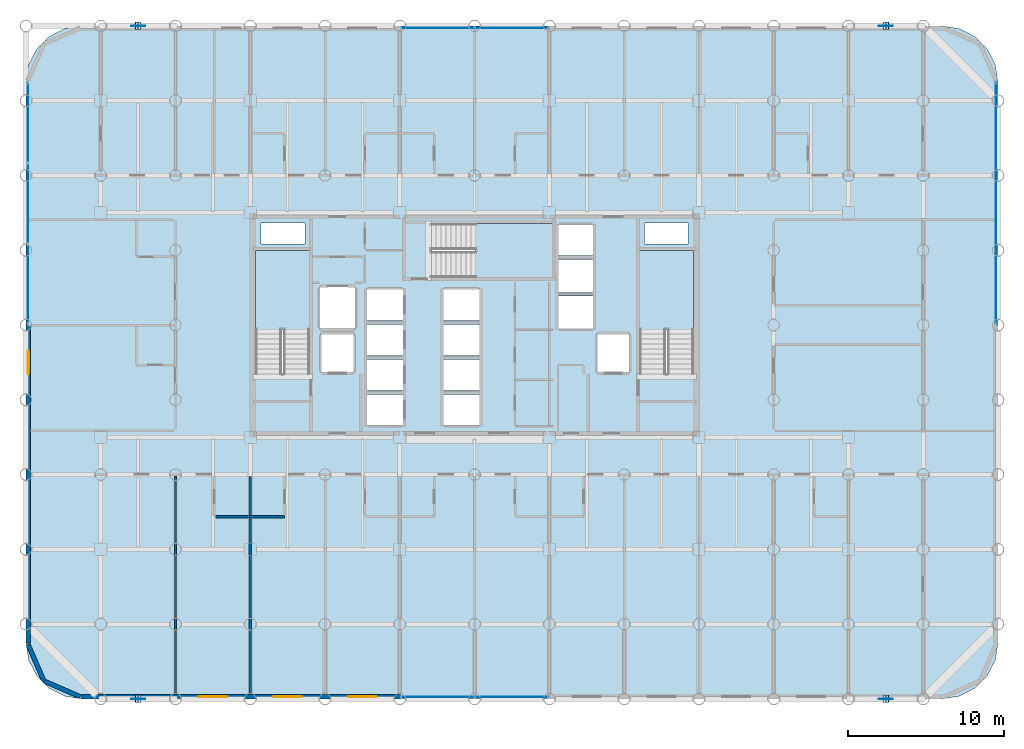
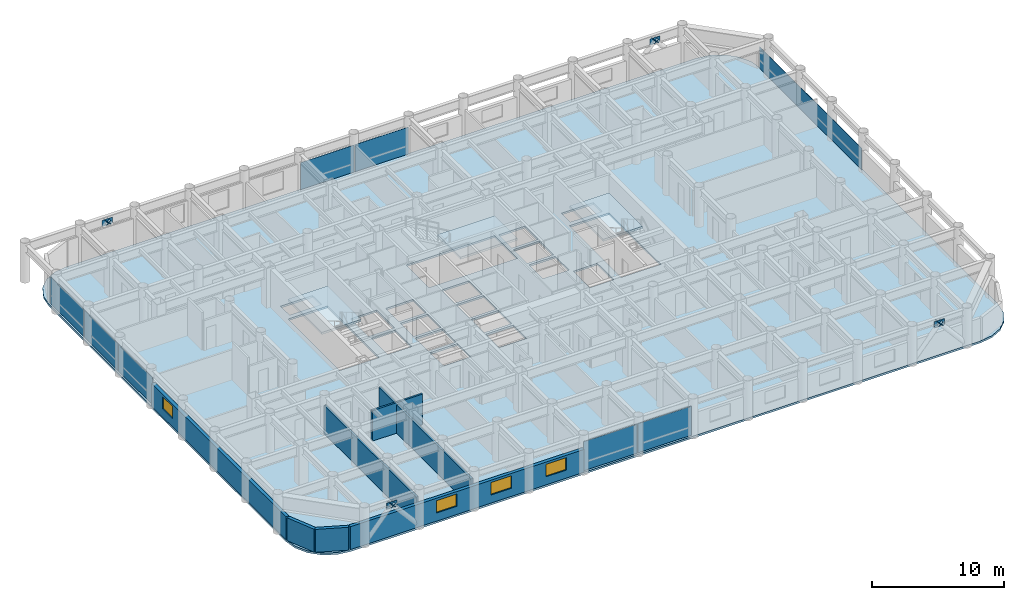
# One storey, part 14 of 21: 20 plates, 7 walls, 4 slabs, 4 windows, 4 openings, 7 elements without a shape of their own.
"""IFC4 building model written with IfcOpenShell, lengths in metres."""

from ifc_helpers import new_model, si_unit, direction, frame, frame_2d, origin, origin_2d, place, context, subcontext, project, spatial, polyline, rectangle, outline, extrude, material, layer, layer_set, type_object, element, fill, aggregate, save


model = new_model("IFC4")

# Units and contexts
model_context = context("Model", 3, precision=1e-05, world=origin(), true_north=direction((0.0, 1.0)))
body_context = subcontext(model_context, "Body", "Model", "MODEL_VIEW")
ifc_project = project(units=[si_unit("LENGTHUNIT", "METRE"), si_unit("AREAUNIT", "SQUARE_METRE"), si_unit("VOLUMEUNIT", "CUBIC_METRE"), si_unit("PLANEANGLEUNIT", "RADIAN"), si_unit("MASSUNIT", "GRAM", prefix="KILO")], contexts=[model_context])

# Site, building, storey
site_placement = place(None, origin())
site = spatial("IfcSite", under=ifc_project, at=site_placement, CompositionType="ELEMENT")
building_placement = place(site_placement, origin())
building = spatial("IfcBuilding", under=site, at=building_placement, Name="Kallvorn Hotel Tower", CompositionType="ELEMENT")
storey_placement = place(building_placement, frame((0.0, 0.0, 81.800048828125)))
storey = spatial("IfcBuildingStorey", under=building, at=storey_placement, Name="L19", CompositionType="ELEMENT", Elevation=81.800048828125)

# Curtain wall, plates
ifc_material_1 = material(Name="Thermally broken black-anodised aluminium AA 6063-T6", Category="aluminium")
ifc_layer_1 = layer(ifc_material_1, 0.199951171875)
ifc_layer_set_1 = layer_set([ifc_layer_1], Name="CW_SYS_3_HOTEL_LOW")
curtain_wall_type = type_object("IfcCurtainWallType", Name="CW_SYS_3_HOTEL_LOW", PredefinedType="USERDEFINED", material=ifc_layer_set_1)
curtain_wall_1_placement = place(storey_placement, origin())
curtain_wall_1 = element("IfcCurtainWall", 1, at=curtain_wall_1_placement, inside=storey, type_object=curtain_wall_type, Name="L19 Dark-Glass Curtain Wall CW-L19-SC", ObjectType="UNITISED CURTAIN WALL", PredefinedType="USERDEFINED")
ifc_material_2 = material(Name="Double-glazed low-e solar-control dark glass", Category="glass")
ifc_layer_2 = layer(ifc_material_2, 0.035888671875)
ifc_layer_set_2 = layer_set([ifc_layer_2], Name="CW_SYS_3_HOTEL_LOW_PANEL")
plate_type_1 = type_object("IfcPlateType", Name="CW_SYS_3_HOTEL_LOW_PANEL", PredefinedType="CURTAIN_PANEL", material=ifc_layer_set_2)
plate_1_placement = place(storey_placement, frame((-2.375, -23.8798828125, 0.06005859375), z_axis=(0.0, 0.0, 1.0), x_axis=(1.0, 0.0, 0.0)))
plate_1 = element("IfcPlate", 2, at=plate_1_placement, type_object=plate_type_1, Name="CW-L19-SC Vision Glass Panel 00", PredefinedType="CURTAIN_PANEL", context=body_context, shape_type="SweptSolid", body=[
    extrude(rectangle(XDim=4.68994140625, YDim=0.035888671875, at=origin_2d()), origin(), (0.0, 0.0, 1.0), 2.699951171875),
])
plate_2_placement = place(storey_placement, frame((2.375, -23.8798828125, 0.06005859375), z_axis=(0.0, 0.0, 1.0), x_axis=(1.0, 0.0, 0.0)))
plate_2 = element("IfcPlate", 3, at=plate_2_placement, type_object=plate_type_1, Name="CW-L19-SC Vision Glass Panel 01", PredefinedType="CURTAIN_PANEL", context=body_context, shape_type="SweptSolid", body=[
    extrude(rectangle(XDim=4.68994140625, YDim=0.035888671875, at=origin_2d()), origin(), (0.0, 0.0, 1.0), 2.699951171875),
])
aggregate(curtain_wall_1, [plate_1, plate_2])

curtain_wall_2_placement = place(storey_placement, origin())
curtain_wall_2 = element("IfcCurtainWall", 4, at=curtain_wall_2_placement, inside=storey, type_object=curtain_wall_type, Name="L19 Dark-Glass Curtain Wall CW-L19-NC", ObjectType="UNITISED CURTAIN WALL", PredefinedType="USERDEFINED")
plate_3_placement = place(storey_placement, frame((-2.375, 19.080078125, 0.06005859375), z_axis=(0.0, 0.0, 1.0), x_axis=(1.0, 0.0, 0.0)))
plate_3 = element("IfcPlate", 5, at=plate_3_placement, type_object=plate_type_1, Name="CW-L19-NC Vision Glass Panel 00", PredefinedType="CURTAIN_PANEL", context=body_context, shape_type="SweptSolid", body=[
    extrude(rectangle(XDim=4.68994140625, YDim=0.035888671875, at=origin_2d()), origin(), (0.0, 0.0, 1.0), 2.5),
])
plate_4_placement = place(storey_placement, frame((2.375, 19.080078125, 0.06005859375), z_axis=(0.0, 0.0, 1.0), x_axis=(1.0, 0.0, 0.0)))
plate_4 = element("IfcPlate", 6, at=plate_4_placement, type_object=plate_type_1, Name="CW-L19-NC Vision Glass Panel 01", PredefinedType="CURTAIN_PANEL", context=body_context, shape_type="SweptSolid", body=[
    extrude(rectangle(XDim=4.68994140625, YDim=0.035888671875, at=origin_2d()), origin(), (0.0, 0.0, 1.0), 2.5),
])
aggregate(curtain_wall_2, [plate_3, plate_4])

curtain_wall_3_placement = place(storey_placement, origin())
curtain_wall_3 = element("IfcCurtainWall", 7, at=curtain_wall_3_placement, inside=storey, type_object=curtain_wall_type, Name="L19 Dark-Glass Curtain Wall CW-L19-WN", ObjectType="UNITISED CURTAIN WALL", PredefinedType="USERDEFINED")
plate_5_placement = place(storey_placement, frame((-28.679931640625, 2.61669921875, 0.06005859375), z_axis=(0.0, 0.0, 1.0), x_axis=(0.0, 1.0, 0.0)))
plate_5 = element("IfcPlate", 8, at=plate_5_placement, type_object=plate_type_1, Name="CW-L19-WN Vision Glass Panel 00", PredefinedType="CURTAIN_PANEL", context=body_context, shape_type="SweptSolid", body=[
    extrude(rectangle(XDim=5.13330078125, YDim=0.035888671875, at=origin_2d()), origin(), (0.0, 0.0, 1.0), 2.5),
])
plate_6_placement = place(storey_placement, frame((-28.679931640625, 7.81005859375, 0.06005859375), z_axis=(0.0, 0.0, 1.0), x_axis=(0.0, 1.0, 0.0)))
plate_6 = element("IfcPlate", 9, at=plate_6_placement, type_object=plate_type_1, Name="CW-L19-WN Vision Glass Panel 01", PredefinedType="CURTAIN_PANEL", context=body_context, shape_type="SweptSolid", body=[
    extrude(rectangle(XDim=5.13330078125, YDim=0.035888671875, at=origin_2d()), origin(), (0.0, 0.0, 1.0), 2.5),
])
plate_7_placement = place(storey_placement, frame((-28.679931640625, 13.00341796875, 0.06005859375), z_axis=(0.0, 0.0, 1.0), x_axis=(0.0, 1.0, 0.0)))
plate_7 = element("IfcPlate", 10, at=plate_7_placement, type_object=plate_type_1, Name="CW-L19-WN Vision Glass Panel 02", PredefinedType="CURTAIN_PANEL", context=body_context, shape_type="SweptSolid", body=[
    extrude(rectangle(XDim=5.13330078125, YDim=0.035888671875, at=origin_2d()), origin(), (0.0, 0.0, 1.0), 2.5),
])
aggregate(curtain_wall_3, [plate_5, plate_6, plate_7])

# Curtain wall, plate
curtain_wall_4_placement = place(storey_placement, origin())
curtain_wall_4 = element("IfcCurtainWall", 11, at=curtain_wall_4_placement, inside=storey, type_object=curtain_wall_type, Name="L19 Dark-Glass Curtain Wall CW-L19-EN", ObjectType="UNITISED CURTAIN WALL", PredefinedType="USERDEFINED")
plate_8_placement = place(storey_placement, frame((33.47998046875, 7.81005859375, 0.06005859375), z_axis=(0.0, 0.0, 1.0), x_axis=(0.0, 1.0, 0.0)))
plate_8 = element("IfcPlate", 12, at=plate_8_placement, type_object=plate_type_1, Name="CW-L19-EN Vision Glass Panel 00", PredefinedType="CURTAIN_PANEL", context=body_context, shape_type="SweptSolid", body=[
    extrude(rectangle(XDim=15.52001953125, YDim=0.035888671875, at=origin_2d()), origin(), (0.0, 0.0, 1.0), 2.0),
])
aggregate(curtain_wall_4, [plate_8])

# Plates
ifc_material_3 = material(Name="Structural steel S355JR", Category="steel")
ifc_layer_3 = layer(ifc_material_3, 0.030029296875)
ifc_layer_set_3 = layer_set([ifc_layer_3], Name="PLT_CAP_30")
plate_type_2 = type_object("IfcPlateType", Name="PLT_CAP_30", PredefinedType="SHEET", material=ifc_layer_set_3)
for number, where, z_axis, x_axis, name in (
    (13, (-21.409423828125, -24.2431640625, 2.80859375), (0.653515319717, 0.0, 0.756913288888), (0.0, 1.0, 0.0), "EXO-L19-S1A End Cap Plate B"),
    (14, (-21.79052734375, -23.7568359375, 2.80859375), (-0.653515319717, 0.0, 0.756913288888), (0.0, -1.0, 0.0), "EXO-L19-S1B End Cap Plate B"),
    (15, (26.590576171875, -24.2431640625, 2.80859375), (0.653515319717, 0.0, 0.756913288888), (0.0, 1.0, 0.0), "EXO-L19-S2A End Cap Plate B"),
    (16, (26.20947265625, -23.7568359375, 2.80859375), (-0.653515319717, 0.0, 0.756913288888), (0.0, -1.0, 0.0), "EXO-L19-S2B End Cap Plate B"),
    (17, (-21.409423828125, 18.956787109375, 2.80859375), (0.653515319717, 0.0, 0.756913288888), (0.0, 1.0, 0.0), "EXO-L19-N1A End Cap Plate B"),
    (18, (-21.79052734375, 19.443115234375, 2.80859375), (-0.653515319717, 0.0, 0.756913288888), (0.0, -1.0, 0.0), "EXO-L19-N1B End Cap Plate B"),
    (19, (26.590576171875, 18.956787109375, 2.80859375), (0.653515319717, 0.0, 0.756913288888), (0.0, 1.0, 0.0), "EXO-L19-N2A End Cap Plate B"),
    (20, (26.20947265625, 19.443115234375, 2.80859375), (-0.653515319717, 0.0, 0.756913288888), (0.0, -1.0, 0.0), "EXO-L19-N2B End Cap Plate B"),
):
    element("IfcPlate", number, at=place(storey_placement, frame(where, z_axis=z_axis, x_axis=x_axis)), inside=storey, type_object=plate_type_2, Name=name, PredefinedType="SHEET", context=body_context, shape_type="SweptSolid", body=[
        extrude(outline(polyline([(0.0, 0.0), (0.486328125, 0.0), (0.486328125, 0.4864019008580509), (0.0, 0.4864019008580509), (0.0, 0.0)])), origin(), (0.0, 0.0, -1.0), 0.030029296875),
    ])
ifc_material_4 = material(Name="Structural steel S355JR", Category="steel")
ifc_layer_4 = layer(ifc_material_4, 0.044921875)
ifc_layer_set_4 = layer_set([ifc_layer_4], Name="PLT_GUSSET_45")
plate_type_3 = type_object("IfcPlateType", Name="PLT_GUSSET_45", PredefinedType="USERDEFINED", material=ifc_layer_set_4)
for number, where, z_axis, x_axis, name in (
    (21, (-21.60009765625, -24.0, 2.639892578125), (0.0, 0.0, 1.0), (1.0, 0.0, 0.0), "L19 Exoskeleton Node Gusset S1"),
    (22, (26.39990234375, -24.0, 2.639892578125), (0.0, 0.0, 1.0), (1.0, 0.0, 0.0), "L19 Exoskeleton Node Gusset S2"),
    (23, (-21.60009765625, 19.199951171875, 2.639892578125), (0.0, 0.0, 1.0), (1.0, 0.0, 0.0), "L19 Exoskeleton Node Gusset N1"),
    (24, (26.39990234375, 19.199951171875, 2.639892578125), (0.0, 0.0, 1.0), (1.0, 0.0, 0.0), "L19 Exoskeleton Node Gusset N2"),
):
    element("IfcPlate", number, at=place(storey_placement, frame(where, z_axis=z_axis, x_axis=x_axis)), inside=storey, type_object=plate_type_3, Name=name, ObjectType="GUSSET PLATE", PredefinedType="USERDEFINED", context=body_context, shape_type="SweptSolid", body=[
        extrude(rectangle(XDim=0.89990234375, YDim=0.044921875, at=origin_2d()), origin(), (0.0, 0.0, 1.0), 0.56005859375),
    ])

# Stair, slab
ifc_material_5 = material(Name="Precast concrete C40/50", Category="concrete")
stair_type = type_object("IfcStairType", Name="STR_CORE_DOGLEG", PredefinedType="HALF_TURN_STAIR", material=ifc_material_5)
stair_1_placement = place(storey_placement, origin())
stair_1 = element("IfcStair", 25, at=stair_1_placement, inside=storey, type_object=stair_type, Name="L19 Exit stair ST1", PredefinedType="HALF_TURN_STAIR")
ifc_material_6 = material(Name="Precast concrete C40/50", Category="concrete")
ifc_layer_5 = layer(ifc_material_6, 0.179931640625)
ifc_layer_set_5 = layer_set([ifc_layer_5], Name="SLB_LANDING_180")
slab_type_1 = type_object("IfcSlabType", Name="SLB_LANDING_180", PredefinedType="LANDING", material=ifc_layer_set_5)
slab_1_placement = place(storey_placement, frame((0.0, 0.0, 1.64990234375)))
slab_1 = element("IfcSlab", 26, at=slab_1_placement, type_object=slab_type_1, Name="ST1 landing 1", PredefinedType="LANDING", context=body_context, shape_type="SweptSolid", body=[
    extrude(outline(polyline([(-10.60009765625, -0.31005859375), (-10.60009765625, 4.800048828125), (-14.06005859375, 4.800048828125), (-14.06005859375, -0.31005859375), (-10.60009765625, -0.31005859375)])), origin(), (0.0, 0.0, 1.0), 0.199951171875),
])
aggregate(stair_1, [slab_1])

stair_2_placement = place(storey_placement, origin())
stair_2 = element("IfcStair", 27, at=stair_2_placement, inside=storey, type_object=stair_type, Name="L19 Exit stair ST2", PredefinedType="HALF_TURN_STAIR")
slab_2_placement = place(storey_placement, frame((0.0, 0.0, 1.64990234375)))
slab_2 = element("IfcSlab", 28, at=slab_2_placement, type_object=slab_type_1, Name="ST2 landing 1", PredefinedType="LANDING", context=body_context, shape_type="SweptSolid", body=[
    extrude(outline(polyline([(14.06005859375, -0.31005859375), (14.06005859375, 4.800048828125), (10.60009765625, 4.800048828125), (10.60009765625, -0.31005859375), (14.06005859375, -0.31005859375)])), origin(), (0.0, 0.0, 1.0), 0.199951171875),
])
aggregate(stair_2, [slab_2])

stair_3_placement = place(storey_placement, origin())
stair_3 = element("IfcStair", 29, at=stair_3_placement, inside=storey, type_object=stair_type, Name="L19 Exit stair ST3", PredefinedType="HALF_TURN_STAIR")
slab_3_placement = place(storey_placement, frame((0.0, 0.0, 1.64990234375)))
slab_3 = element("IfcSlab", 30, at=slab_3_placement, type_object=slab_type_1, Name="ST3 landing 1", PredefinedType="LANDING", context=body_context, shape_type="SweptSolid", body=[
    extrude(outline(polyline([(0.0400390625, 3.050048828125), (5.050048828125, 3.050048828125), (5.050048828125, 6.510009765625), (0.0400390625, 6.510009765625), (0.0400390625, 3.050048828125)])), origin(), (0.0, 0.0, 1.0), 0.199951171875),
])
aggregate(stair_3, [slab_3])

# Slab
ifc_material_7 = material(Name="Concrete C40/50", Category="concrete")
ifc_layer_6 = layer(ifc_material_7, 0.179931640625)
ifc_layer_set_6 = layer_set([ifc_layer_6], Name="SLB_TOWER_180")
slab_type_2 = type_object("IfcSlabType", Name="SLB_TOWER_180", PredefinedType="FLOOR", material=ifc_layer_set_6)
slab_4_placement = place(storey_placement, frame((0.0, 0.0, -0.179931640625)))
element("IfcSlab", 31, at=slab_4_placement, inside=storey, type_object=slab_type_2, Name="L19 Structural Floor Slab", PredefinedType="FLOOR", context=body_context, shape_type="SweptSolid", body=[
    extrude(outline(polyline([(30.0, -24.0), (31.112548828125, -23.82373046875), (32.115966796875, -23.3125), (32.91259765625, -22.51611328125), (33.423828125, -21.512451171875), (33.60009765625, -20.39990234375), (33.60009765625, 15.60009765625), (33.423828125, 16.71240234375), (32.91259765625, 17.716064453125), (32.115966796875, 18.512451171875), (31.112548828125, 19.023681640625), (30.0, 19.199951171875), (-25.199951171875, 19.199951171875), (-26.3125, 19.023681640625), (-27.31591796875, 18.512451171875), (-28.112548828125, 17.716064453125), (-28.623779296875, 16.71240234375), (-28.800048828125, 15.60009765625), (-28.800048828125, -20.39990234375), (-28.623779296875, -21.512451171875), (-28.112548828125, -22.51611328125), (-27.31591796875, -23.3125), (-26.3125, -23.82373046875), (-25.199951171875, -24.0), (30.0, -24.0)]), holes=[polyline([(-10.60009765625, -3.070068359375), (-10.60009765625, 4.800048828125), (-14.06005859375, 4.800048828125), (-14.06005859375, -3.070068359375), (-10.60009765625, -3.070068359375)]), polyline([(14.06005859375, -3.070068359375), (14.06005859375, 4.800048828125), (10.60009765625, 4.800048828125), (10.60009765625, -3.070068359375), (14.06005859375, -3.070068359375)]), polyline([(-2.719970703125, 3.050048828125), (5.050048828125, 3.050048828125), (5.050048828125, 6.510009765625), (-2.719970703125, 6.510009765625), (-2.719970703125, 3.050048828125)]), polyline([(-6.949951171875, -6.449951171875), (-4.550048828125, -6.449951171875), (-4.550048828125, -4.449951171875), (-6.949951171875, -4.449951171875), (-6.949951171875, -6.449951171875)]), polyline([(-6.949951171875, -4.199951171875), (-4.550048828125, -4.199951171875), (-4.550048828125, -2.199951171875), (-6.949951171875, -2.199951171875), (-6.949951171875, -4.199951171875)]), polyline([(-6.949951171875, -1.949951171875), (-4.550048828125, -1.949951171875), (-4.550048828125, 0.050048828125), (-6.949951171875, 0.050048828125), (-6.949951171875, -1.949951171875)]), polyline([(-6.949951171875, 0.300048828125), (-4.550048828125, 0.300048828125), (-4.550048828125, 2.300048828125), (-6.949951171875, 2.300048828125), (-6.949951171875, 0.300048828125)]), polyline([(-2.050048828125, -6.449951171875), (0.35009765625, -6.449951171875), (0.35009765625, -4.449951171875), (-2.050048828125, -4.449951171875), (-2.050048828125, -6.449951171875)]), polyline([(-2.050048828125, -4.199951171875), (0.35009765625, -4.199951171875), (0.35009765625, -2.199951171875), (-2.050048828125, -2.199951171875), (-2.050048828125, -4.199951171875)]), polyline([(-2.050048828125, -1.949951171875), (0.35009765625, -1.949951171875), (0.35009765625, 0.050048828125), (-2.050048828125, 0.050048828125), (-2.050048828125, -1.949951171875)]), polyline([(-2.050048828125, 0.300048828125), (0.35009765625, 0.300048828125), (0.35009765625, 2.300048828125), (-2.050048828125, 2.300048828125), (-2.050048828125, 0.300048828125)]), polyline([(5.35009765625, -0.25), (7.64990234375, -0.25), (7.64990234375, 1.85009765625), (5.35009765625, 1.85009765625), (5.35009765625, -0.25)]), polyline([(5.35009765625, 2.10009765625), (7.64990234375, 2.10009765625), (7.64990234375, 4.199951171875), (5.35009765625, 4.199951171875), (5.35009765625, 2.10009765625)]), polyline([(5.35009765625, 4.449951171875), (7.64990234375, 4.449951171875), (7.64990234375, 6.449951171875), (5.35009765625, 6.449951171875), (5.35009765625, 4.449951171875)]), polyline([(-9.85009765625, -3.050048828125), (-7.75, -3.050048828125), (-7.75, -0.550048828125), (-9.85009765625, -0.550048828125), (-9.85009765625, -3.050048828125)]), polyline([(7.85009765625, -3.050048828125), (9.949951171875, -3.050048828125), (9.949951171875, -0.550048828125), (7.85009765625, -0.550048828125), (7.85009765625, -3.050048828125)]), polyline([(-9.949951171875, -0.25), (-7.64990234375, -0.25), (-7.64990234375, 2.449951171875), (-9.949951171875, 2.449951171875), (-9.949951171875, -0.25)]), polyline([(-13.699951171875, 5.199951171875), (-10.89990234375, 5.199951171875), (-10.89990234375, 6.550048828125), (-13.699951171875, 6.550048828125), (-13.699951171875, 5.199951171875)]), polyline([(10.89990234375, 5.199951171875), (13.699951171875, 5.199951171875), (13.699951171875, 6.550048828125), (10.89990234375, 6.550048828125), (10.89990234375, 5.199951171875)])]), origin(), (0.0, 0.0, 1.0), 0.179931640625),
])

# Walls
ifc_material_8 = material(Name="Fire-rated double-layer acoustic gypsum drywall EI 60")
ifc_layer_7 = layer(ifc_material_8, 0.159912109375)
ifc_layer_set_7 = layer_set([ifc_layer_7], Name="WL_DEMISE_160")
wall_type_1 = type_object("IfcWallType", Name="WL_DEMISE_160", PredefinedType="PARTITIONING", material=ifc_layer_set_7)
wall_1_placement = place(storey_placement, frame((-16.610107421875, -12.320068359375, 0.0), z_axis=(0.0, 0.0, 1.0), x_axis=(1.0, 0.0, 0.0)))
element("IfcWall", 32, at=wall_1_placement, inside=storey, type_object=wall_type_1, Name="L19 Suite 1903 Superior Twin Room Partition", PredefinedType="PARTITIONING", context=body_context, shape_type="SweptSolid", body=[
    extrude(rectangle(XDim=4.420166015625, YDim=0.159912109375, at=frame_2d((2.2099609375, 0.0))), origin(), (0.0, 0.0, 1.0), 2.820068359375),
])
for number, where, z_axis, x_axis, name in (
    (33, (-19.199951171875, -23.7099609375, 0.0), (0.0, 0.0, 1.0), (0.0, 1.0, 0.0), "L19 Suite 1903 Superior Twin Room Partition"),
    (34, (-14.39990234375, -23.7099609375, 0.0), (0.0, 0.0, 1.0), (0.0, 1.0, 0.0), "L19 Suite 1903 Superior Twin Room Partition"),
):
    element("IfcWall", number, at=place(storey_placement, frame(where, z_axis=z_axis, x_axis=x_axis)), inside=storey, type_object=wall_type_1, Name=name, PredefinedType="PARTITIONING", context=body_context, shape_type="SweptSolid", body=[
        extrude(rectangle(XDim=13.989990234375, YDim=0.159912109375, at=frame_2d((6.9951171875, 0.0))), origin(), (0.0, 0.0, 1.0), 2.619873046875),
    ])
ifc_material_9 = material(Name="Precast basalt-clad insulated concrete wall C40/50", Category="masonry")
ifc_layer_8 = layer(ifc_material_9, 0.280029296875)
ifc_layer_set_8 = layer_set([ifc_layer_8], Name="WL_EXT_LOGGIA_280")
wall_type_2 = type_object("IfcWallType", Name="WL_EXT_LOGGIA_280", PredefinedType="SOLIDWALL", material=ifc_layer_set_8)
wall_2_placement = place(storey_placement, frame((-28.657958984375, -20.520751953125, 0.0), z_axis=(0.0, 0.0, 1.0), x_axis=(0.398792985289, -0.917040977756, 0.0)))
element("IfcWall", 35, at=wall_2_placement, inside=storey, type_object=wall_type_2, Name="L19 Rounded Corner Exterior Wall SW1", PredefinedType="SOLIDWALL", context=body_context, shape_type="SweptSolid", body=[
    extrude(rectangle(XDim=2.536376953125, YDim=0.280029296875, at=frame_2d((1.26806640625, 0.0))), origin(), (0.0, 0.0, 1.0), 2.119873046875),
])
wall_3_placement = place(storey_placement, frame((-27.646484375, -22.8466796875, 0.0), z_axis=(0.0, 0.0, 1.0), x_axis=(0.917060872934, -0.398747232384, 0.0)))
element("IfcWall", 36, at=wall_3_placement, inside=storey, type_object=wall_type_2, Name="L19 Rounded Corner Exterior Wall SW2", PredefinedType="SOLIDWALL", context=body_context, shape_type="SweptSolid", body=[
    extrude(rectangle(XDim=2.5361328125, YDim=0.280029296875, at=frame_2d((1.26806640625, 0.0))), origin(), (0.0, 0.0, 1.0), 2.119873046875),
])

# Wall, openings, windows
wall_4_placement = place(storey_placement, frame((-25.199951171875, -23.860107421875, 0.0), z_axis=(0.0, 0.0, 1.0), x_axis=(1.0, 0.0, 0.0)))
wall_4 = element("IfcWall", 37, at=wall_4_placement, inside=storey, type_object=wall_type_2, Name="L19 Exterior Envelope Wall EW-L19-SW", PredefinedType="SOLIDWALL", context=body_context, shape_type="SweptSolid", body=[
    extrude(rectangle(XDim=20.449951171875, YDim=0.280029296875, at=frame_2d((10.22509765625, 0.0))), origin(), (0.0, 0.0, 1.0), 2.119873046875),
])
opening_1_placement = place(wall_4_placement, frame((7.5, 0.0, 0.75)))
opening_1 = element("IfcOpeningElement", 38, at=opening_1_placement, cuts=wall_4, Name="Opening W04A", PredefinedType="OPENING", context=body_context, shape_type="SweptSolid", body=[
    extrude(rectangle(XDim=1.800048828125, YDim=1.14990234375, at=frame_2d((0.89990234375, 0.574951171875))), frame((0.0, 0.155029296875, 0.0), z_axis=(0.0, -1.0, 0.0), x_axis=(1.0, 0.0, 0.0)), (0.0, 0.0, 1.0), 0.31005859375),
])
opening_2_placement = place(wall_4_placement, frame((12.300048828125, 0.0, 0.75)))
opening_2 = element("IfcOpeningElement", 39, at=opening_2_placement, cuts=wall_4, Name="Opening W04A", PredefinedType="OPENING", context=body_context, shape_type="SweptSolid", body=[
    extrude(rectangle(XDim=1.800048828125, YDim=1.14990234375, at=frame_2d((0.89990234375, 0.574951171875))), frame((0.0, 0.155029296875, 0.0), z_axis=(0.0, -1.0, 0.0), x_axis=(1.0, 0.0, 0.0)), (0.0, 0.0, 1.0), 0.31005859375),
])
opening_3_placement = place(wall_4_placement, frame((17.10009765625, 0.0, 0.75)))
opening_3 = element("IfcOpeningElement", 40, at=opening_3_placement, cuts=wall_4, Name="Opening W04A", PredefinedType="OPENING", context=body_context, shape_type="SweptSolid", body=[
    extrude(rectangle(XDim=1.800048828125, YDim=1.14990234375, at=frame_2d((0.89990234375, 0.574951171875))), frame((0.0, 0.155029296875, 0.0), z_axis=(0.0, -1.0, 0.0), x_axis=(1.0, 0.0, 0.0)), (0.0, 0.0, 1.0), 0.31005859375),
])
ifc_material_10 = material(Name="Double-glazed low-e solar-control dark glass", Category="glass")
window_type_1 = type_object("IfcWindowType", Name="WN_HTL_1800x1150", PartitioningType="SINGLE_PANEL", PredefinedType="WINDOW", material=ifc_material_10)
window_1_placement = place(opening_1_placement, origin())
window_1 = element("IfcWindow", 41, at=window_1_placement, inside=storey, type_object=window_type_1, Name="L19 Guestroom Exterior Window 02", OverallHeight=1.14990234375, OverallWidth=1.800048828125, PartitioningType="SINGLE_PANEL", PredefinedType="WINDOW", context=body_context, shape_type="SweptSolid", body=[
    extrude(rectangle(XDim=1.800048828125, YDim=1.14990234375, at=frame_2d((0.89990234375, 0.574951171875))), frame((0.0, 0.030029296875, 0.0), z_axis=(0.0, -1.0, 0.0), x_axis=(1.0, 0.0, 0.0)), (0.0, 0.0, 1.0), 0.06005859375),
])
fill(opening_1, window_1)
window_2_placement = place(opening_2_placement, origin())
window_2 = element("IfcWindow", 42, at=window_2_placement, inside=storey, type_object=window_type_1, Name="L19 Guestroom Exterior Window 03", OverallHeight=1.14990234375, OverallWidth=1.800048828125, PartitioningType="SINGLE_PANEL", PredefinedType="WINDOW", context=body_context, shape_type="SweptSolid", body=[
    extrude(rectangle(XDim=1.800048828125, YDim=1.14990234375, at=frame_2d((0.89990234375, 0.574951171875))), frame((0.0, 0.030029296875, 0.0), z_axis=(0.0, -1.0, 0.0), x_axis=(1.0, 0.0, 0.0)), (0.0, 0.0, 1.0), 0.06005859375),
])
fill(opening_2, window_2)
window_3_placement = place(opening_3_placement, origin())
window_3 = element("IfcWindow", 43, at=window_3_placement, inside=storey, type_object=window_type_1, Name="L19 Guestroom Exterior Window 04", OverallHeight=1.14990234375, OverallWidth=1.800048828125, PartitioningType="SINGLE_PANEL", PredefinedType="WINDOW", context=body_context, shape_type="SweptSolid", body=[
    extrude(rectangle(XDim=1.800048828125, YDim=1.14990234375, at=frame_2d((0.89990234375, 0.574951171875))), frame((0.0, 0.030029296875, 0.0), z_axis=(0.0, -1.0, 0.0), x_axis=(1.0, 0.0, 0.0)), (0.0, 0.0, 1.0), 0.06005859375),
])
fill(opening_3, window_3)

# Wall, opening, window
wall_5_placement = place(storey_placement, frame((-28.659912109375, -20.39990234375, 0.0), z_axis=(0.0, 0.0, 1.0), x_axis=(0.0, 1.0, 0.0)))
wall_5 = element("IfcWall", 44, at=wall_5_placement, inside=storey, type_object=wall_type_2, Name="L19 Exterior Envelope Wall EW-L19-WS", PredefinedType="SOLIDWALL", context=body_context, shape_type="SweptSolid", body=[
    extrude(rectangle(XDim=20.3798828125, YDim=0.280029296875, at=frame_2d((10.18994140625, 0.0))), origin(), (0.0, 0.0, 1.0), 2.119873046875),
])
opening_4_placement = place(wall_5_placement, frame((17.25, 0.0, 0.75)))
opening_4 = element("IfcOpeningElement", 45, at=opening_4_placement, cuts=wall_5, Name="Opening W05A", PredefinedType="OPENING", context=body_context, shape_type="SweptSolid", body=[
    extrude(rectangle(XDim=1.5, YDim=1.14990234375, at=frame_2d((0.75, 0.574951171875))), frame((0.0, 0.155029296875, 0.0), z_axis=(0.0, -1.0, 0.0), x_axis=(1.0, 0.0, 0.0)), (0.0, 0.0, 1.0), 0.31005859375),
])
ifc_material_11 = material(Name="Double-glazed low-e solar-control dark glass", Category="glass")
window_type_2 = type_object("IfcWindowType", Name="WN_HTL_1500x1150", PartitioningType="SINGLE_PANEL", PredefinedType="WINDOW", material=ifc_material_11)
window_4_placement = place(opening_4_placement, origin())
window_4 = element("IfcWindow", 46, at=window_4_placement, inside=storey, type_object=window_type_2, Name="L19 Flank Wing Window 01", OverallHeight=1.14990234375, OverallWidth=1.5, PartitioningType="SINGLE_PANEL", PredefinedType="WINDOW", context=body_context, shape_type="SweptSolid", body=[
    extrude(rectangle(XDim=1.5, YDim=1.14990234375, at=frame_2d((0.75, 0.574951171875))), frame((0.0, 0.030029296875, 0.0), z_axis=(0.0, -1.0, 0.0), x_axis=(1.0, 0.0, 0.0)), (0.0, 0.0, 1.0), 0.06005859375),
])
fill(opening_4, window_4)

save(model, "model.ifc")
